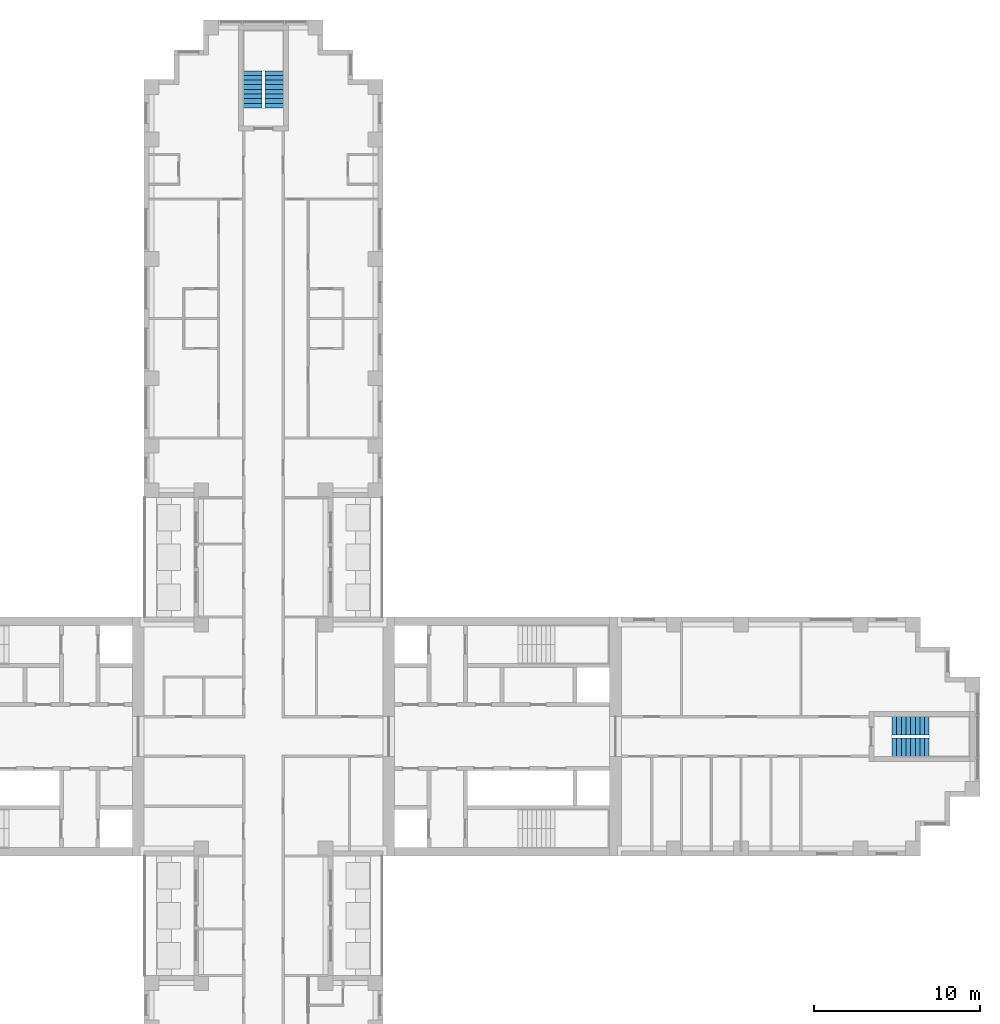
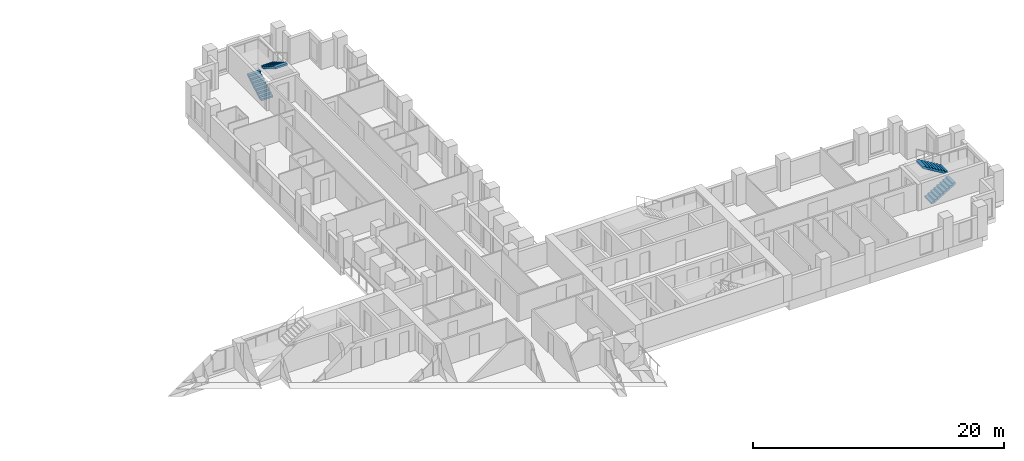
# One storey, part 14 of 16: 4 stair flights, 2 elements without a shape of their own.
"""IFC4 building model written with IfcOpenShell, lengths in metres."""

from ifc_helpers import new_model, si_unit, direction, frame, origin, place, context, subcontext, project, spatial, polyline, outline, extrude, material, type_object, element, aggregate, save


model = new_model("IFC4")

# Units and contexts
model_context = context("Model", 3, precision=1e-05, world=origin(), true_north=direction((0.0, 1.0)))
body_context = subcontext(model_context, "Body", "Model", "MODEL_VIEW")
ifc_project = project(units=[si_unit("LENGTHUNIT", "METRE"), si_unit("AREAUNIT", "SQUARE_METRE"), si_unit("VOLUMEUNIT", "CUBIC_METRE"), si_unit("PLANEANGLEUNIT", "RADIAN"), si_unit("MASSUNIT", "GRAM", prefix="KILO")], contexts=[model_context])

# Site, building, storey
site_placement = place(None, origin())
site = spatial("IfcSite", under=ifc_project, at=site_placement, CompositionType="ELEMENT")
building_placement = place(site_placement, origin())
building = spatial("IfcBuilding", under=site, at=building_placement, Name="Fustian Cross Tower", CompositionType="ELEMENT")
storey_placement = place(building_placement, frame((0.0, 0.0, 23.699951171875)))
storey = spatial("IfcBuildingStorey", under=building, at=storey_placement, Name="L06", CompositionType="ELEMENT", Elevation=23.699951171875)

# Stair, stair flights
ifc_material_1 = material(Name="Concrete C50/60", Category="concrete")
stair_type = type_object("IfcStairType", Name="STAIR 1100 HALF TURN", PredefinedType="HALF_TURN_STAIR", material=ifc_material_1)
stair_1_placement = place(storey_placement, origin())
stair_1 = element("IfcStair", 1, at=stair_1_placement, inside=storey, type_object=stair_type, Name="Stair ST5", PredefinedType="HALF_TURN_STAIR")
ifc_material_2 = material(Name="Concrete C50/60", Category="concrete")
stair_flight_type = type_object("IfcStairFlightType", Name="STAIR FLIGHT 1100", PredefinedType="STRAIGHT", material=ifc_material_2)
stair_flight_1_placement = place(storey_placement, frame((-0.64990234375, 37.89990234375, 0.0), z_axis=(0.0, 0.0, 1.0), x_axis=(0.0, 1.0, 0.0)))
stair_flight_1 = element("IfcStairFlight", 2, at=stair_flight_1_placement, type_object=stair_flight_type, Name="ST5 flight 1", NumberOfRisers=9, NumberOfTreads=8, PredefinedType="STRAIGHT", RiserHeight=0.166666667, TreadLength=0.28, context=body_context, shape_type="SweptSolid", body=[
    extrude(outline(polyline([(0.0, 0.0), (0.0, 0.166748046875), (0.280029296875, 0.166748046875), (0.280029296875, 0.333251953125), (0.56005859375, 0.333251953125), (0.56005859375, 0.5), (0.840087890625, 0.5), (0.840087890625, 0.666748046875), (1.1201171875, 0.666748046875), (1.1201171875, 0.833251953125), (1.39990234375, 0.833251953125), (1.39990234375, 1.0), (1.679931640625, 1.0), (1.679931640625, 1.166748046875), (1.9599609375, 1.166748046875), (1.9599609375, 1.333251953125), (2.239990234375, 1.333251953125), (2.239990234375, 1.5), (2.239990234375, 1.158935546875), (0.29296875, 0.0), (0.0, 0.0)])), frame((0.0, 0.550048828125, 0.0), z_axis=(0.0, -1.0, 0.0), x_axis=(1.0, 0.0, 0.0)), (0.0, 0.0, 1.0), 1.10009765625),
])
stair_flight_2_placement = place(storey_placement, frame((0.64990234375, 40.139892578125, 1.5), z_axis=(0.0, 0.0, 1.0), x_axis=(0.0, -1.0, 0.0)))
stair_flight_2 = element("IfcStairFlight", 3, at=stair_flight_2_placement, type_object=stair_flight_type, Name="ST5 flight 2", NumberOfRisers=9, NumberOfTreads=8, PredefinedType="STRAIGHT", RiserHeight=0.166666667, TreadLength=0.28, context=body_context, shape_type="SweptSolid", body=[
    extrude(outline(polyline([(0.0, 0.0), (0.0, 0.166748046875), (0.280029296875, 0.166748046875), (0.280029296875, 0.333251953125), (0.56005859375, 0.333251953125), (0.56005859375, 0.5), (0.840087890625, 0.5), (0.840087890625, 0.666748046875), (1.1201171875, 0.666748046875), (1.1201171875, 0.833251953125), (1.39990234375, 0.833251953125), (1.39990234375, 1.0), (1.679931640625, 1.0), (1.679931640625, 1.166748046875), (1.9599609375, 1.166748046875), (1.9599609375, 1.333251953125), (2.239990234375, 1.333251953125), (2.239990234375, 1.5), (2.239990234375, 1.158935546875), (0.29296875, 0.0), (0.0, 0.0)])), frame((0.0, 0.550048828125, 0.0), z_axis=(0.0, -1.0, 0.0), x_axis=(1.0, 0.0, 0.0)), (0.0, 0.0, 1.0), 1.10009765625),
])
aggregate(stair_1, [stair_flight_1, stair_flight_2])

stair_2_placement = place(storey_placement, origin())
stair_2 = element("IfcStair", 4, at=stair_2_placement, inside=storey, type_object=stair_type, Name="Stair ST8", PredefinedType="HALF_TURN_STAIR")
stair_flight_3_placement = place(storey_placement, frame((37.89990234375, -0.64990234375, 0.0), z_axis=(0.0, 0.0, 1.0), x_axis=(1.0, 0.0, 0.0)))
stair_flight_3 = element("IfcStairFlight", 5, at=stair_flight_3_placement, type_object=stair_flight_type, Name="ST8 flight 1", NumberOfRisers=9, NumberOfTreads=8, PredefinedType="STRAIGHT", RiserHeight=0.166666667, TreadLength=0.28, context=body_context, shape_type="SweptSolid", body=[
    extrude(outline(polyline([(0.0, 0.0), (0.0, 0.166748046875), (0.280029296875, 0.166748046875), (0.280029296875, 0.333251953125), (0.56005859375, 0.333251953125), (0.56005859375, 0.5), (0.840087890625, 0.5), (0.840087890625, 0.666748046875), (1.1201171875, 0.666748046875), (1.1201171875, 0.833251953125), (1.39990234375, 0.833251953125), (1.39990234375, 1.0), (1.679931640625, 1.0), (1.679931640625, 1.166748046875), (1.9599609375, 1.166748046875), (1.9599609375, 1.333251953125), (2.239990234375, 1.333251953125), (2.239990234375, 1.5), (2.239990234375, 1.158935546875), (0.29296875, 0.0), (0.0, 0.0)])), frame((0.0, 0.550048828125, 0.0), z_axis=(0.0, -1.0, 0.0), x_axis=(1.0, 0.0, 0.0)), (0.0, 0.0, 1.0), 1.10009765625),
])
stair_flight_4_placement = place(storey_placement, frame((40.139892578125, 0.64990234375, 1.5), z_axis=(0.0, 0.0, 1.0), x_axis=(-1.0, 0.0, 0.0)))
stair_flight_4 = element("IfcStairFlight", 6, at=stair_flight_4_placement, type_object=stair_flight_type, Name="ST8 flight 2", NumberOfRisers=9, NumberOfTreads=8, PredefinedType="STRAIGHT", RiserHeight=0.166666667, TreadLength=0.28, context=body_context, shape_type="SweptSolid", body=[
    extrude(outline(polyline([(0.0, 0.0), (0.0, 0.166748046875), (0.280029296875, 0.166748046875), (0.280029296875, 0.333251953125), (0.56005859375, 0.333251953125), (0.56005859375, 0.5), (0.840087890625, 0.5), (0.840087890625, 0.666748046875), (1.1201171875, 0.666748046875), (1.1201171875, 0.833251953125), (1.39990234375, 0.833251953125), (1.39990234375, 1.0), (1.679931640625, 1.0), (1.679931640625, 1.166748046875), (1.9599609375, 1.166748046875), (1.9599609375, 1.333251953125), (2.239990234375, 1.333251953125), (2.239990234375, 1.5), (2.239990234375, 1.158935546875), (0.29296875, 0.0), (0.0, 0.0)])), frame((0.0, 0.550048828125, 0.0), z_axis=(0.0, -1.0, 0.0), x_axis=(1.0, 0.0, 0.0)), (0.0, 0.0, 1.0), 1.10009765625),
])
aggregate(stair_2, [stair_flight_3, stair_flight_4])

save(model, "model.ifc")
